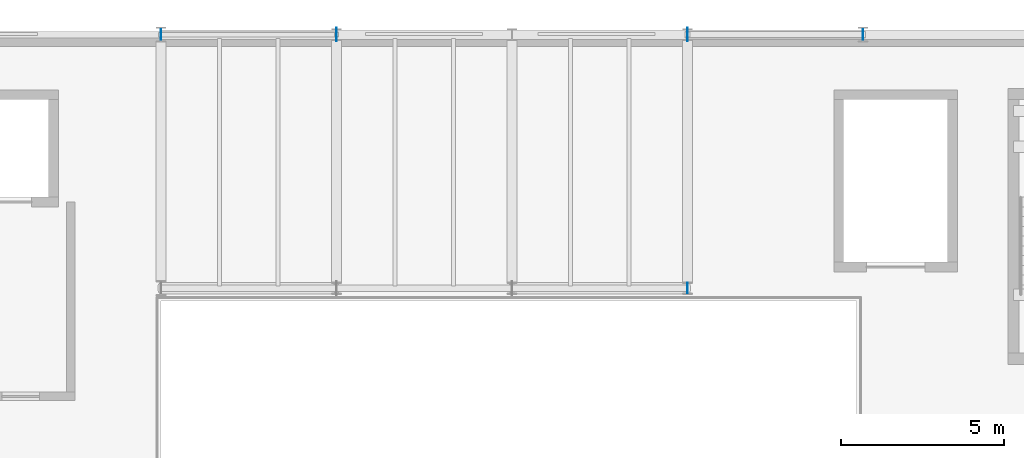
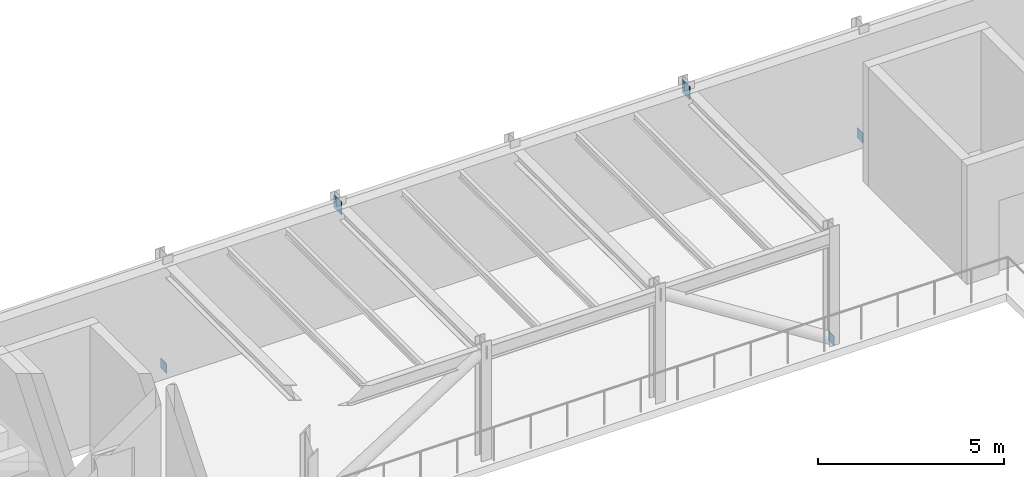
# One storey, part 18 of 44: 5 plates.
"""IFC4 building model written with IfcOpenShell, lengths in metres."""

from ifc_helpers import new_model, si_unit, direction, frame, origin, origin_2d, place, context, subcontext, project, spatial, rectangle, extrude, material, layer, layer_set, type_object, element, save


model = new_model("IFC4")

# Units and contexts
model_context = context("Model", 3, precision=1e-05, world=origin(), true_north=direction((0.0, 1.0)))
body_context = subcontext(model_context, "Body", "Model", "MODEL_VIEW")
ifc_project = project(units=[si_unit("LENGTHUNIT", "METRE"), si_unit("AREAUNIT", "SQUARE_METRE"), si_unit("VOLUMEUNIT", "CUBIC_METRE"), si_unit("PLANEANGLEUNIT", "RADIAN"), si_unit("MASSUNIT", "GRAM", prefix="KILO")], contexts=[model_context])

# Site, building, storey
site_placement = place(None, origin())
site = spatial("IfcSite", under=ifc_project, at=site_placement, CompositionType="ELEMENT")
building_placement = place(site_placement, origin())
building = spatial("IfcBuilding", under=site, at=building_placement, Name="Tazoul Stagehouse", CompositionType="ELEMENT")
storey_placement = place(building_placement, frame((0.0, 0.0, 13.199951171875)))
storey = spatial("IfcBuildingStorey", under=building, at=storey_placement, Name="L03", CompositionType="ELEMENT", Elevation=13.199951171875)

# Plates
ifc_material = material(Name="Steel S355", Category="steel")
ifc_layer_1 = layer(ifc_material, 0.02001953125, Name="Steel S355")
ifc_layer_set_1 = layer_set([ifc_layer_1], Name="Steel S355")
plate_type_1 = type_object("IfcPlateType", Name="Steel Brace End-Cap Plate 320x320x20", PredefinedType="USERDEFINED", material=ifc_layer_set_1)
plate_placement = place(storey_placement, frame((84.60009765625, 104.0, -0.0400390625), z_axis=(0.0, 0.0, 1.0), x_axis=(-1.0, 0.0, 0.0)))
element("IfcPlate", 1, at=plate_placement, inside=storey, type_object=plate_type_1, Name="L03 Gusset End-Cap Plate GP-01 (BR-FT-L03-IN2-1)", ObjectType="GUSSET PLATE", PredefinedType="USERDEFINED", context=body_context, shape_type="SweptSolid", body=[
    extrude(rectangle(XDim=0.02001953125, YDim=0.320068359375, at=origin_2d()), origin(), (0.0, 0.0, 1.0), 0.320068359375),
])
ifc_layer_2 = layer(ifc_material, 0.02001953125, Name="Steel S355")
ifc_layer_set_2 = layer_set([ifc_layer_2], Name="Steel S355")
plate_type_2 = type_object("IfcPlateType", Name="Steel Brace End-Cap Plate 320x320x20 (Exterior)", PredefinedType="USERDEFINED", material=ifc_layer_set_2)
for number, where, z_axis, x_axis, name in (
    (2, (68.39990234375, 111.800048828125, -0.009765625), (0.0, 0.0, 1.0), (1.0, 0.0, 0.0), "L03 Gusset End-Cap Plate GP-01E (BR-FT-L03-N1-1)"),
    (3, (90.0, 111.800048828125, -0.009765625), (0.0, 0.0, 1.0), (-1.0, 0.0, 0.0), "L03 Gusset End-Cap Plate GP-01E (BR-FT-L03-N2-1)"),
):
    element("IfcPlate", number, at=place(storey_placement, frame(where, z_axis=z_axis, x_axis=x_axis)), inside=storey, type_object=plate_type_2, Name=name, ObjectType="GUSSET PLATE", PredefinedType="USERDEFINED", context=body_context, shape_type="SweptSolid", body=[
        extrude(rectangle(XDim=0.02001953125, YDim=0.320068359375, at=origin_2d()), origin(), (0.0, 0.0, 1.0), 0.320068359375),
    ])
ifc_layer_3 = layer(ifc_material, 0.02392578125, Name="Steel S355")
ifc_layer_set_3 = layer_set([ifc_layer_3], Name="Steel S355")
plate_type_3 = type_object("IfcPlateType", Name="Steel Gusset Node Plate 420x420x24 (Exterior)", PredefinedType="USERDEFINED", material=ifc_layer_set_3)
for number, where, z_axis, x_axis, name in (
    (4, (73.800048828125, 111.800048828125, 3.340087890625), (0.0, 0.0, 1.0), (1.0, 0.0, 0.0), "L03 Gusset End-Cap Plate GP-02E (BR-FT-L03-N1-2)"),
    (5, (84.60009765625, 111.800048828125, 3.340087890625), (0.0, 0.0, 1.0), (-1.0, 0.0, 0.0), "L03 Gusset End-Cap Plate GP-02E (BR-FT-L03-N2-2)"),
):
    element("IfcPlate", number, at=place(storey_placement, frame(where, z_axis=z_axis, x_axis=x_axis)), inside=storey, type_object=plate_type_3, Name=name, ObjectType="GUSSET PLATE", PredefinedType="USERDEFINED", context=body_context, shape_type="SweptSolid", body=[
        extrude(rectangle(XDim=0.02392578125, YDim=0.419921875, at=origin_2d()), origin(), (0.0, 0.0, 1.0), 0.419921875),
    ])

save(model, "model.ifc")
